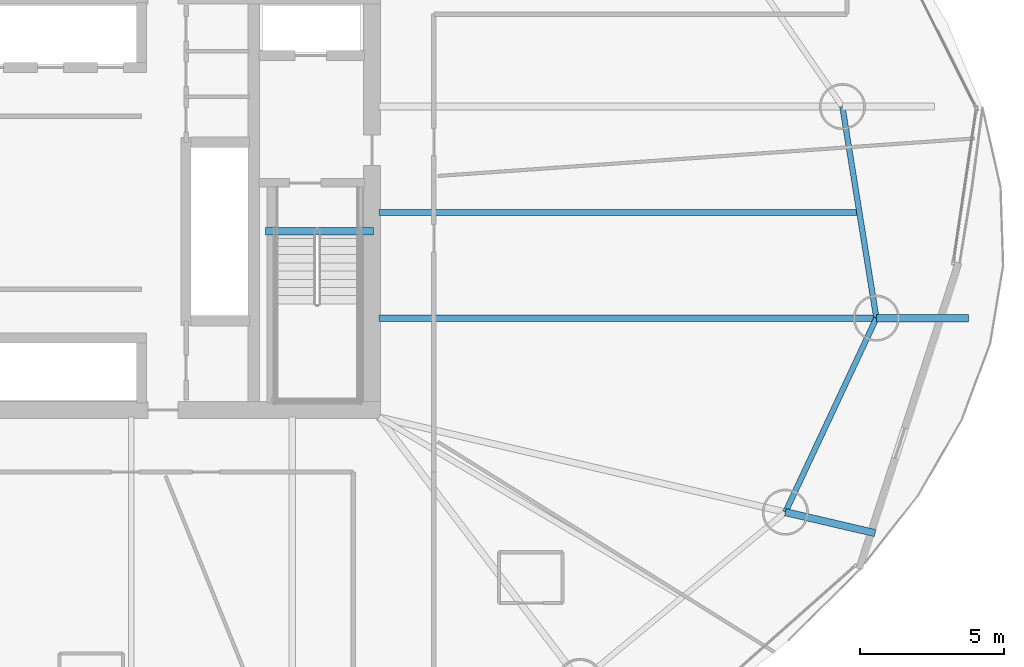
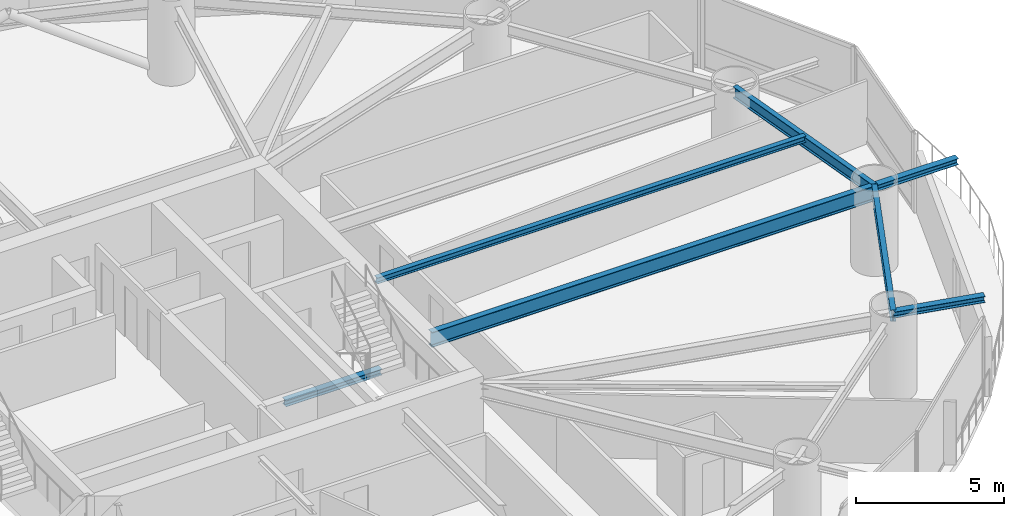
# One storey, part 8 of 26: 7 beams.
"""IFC4 building model written with IfcOpenShell, lengths in metres."""

from ifc_helpers import new_model, si_unit, direction, frame, origin, origin_2d, place, context, subcontext, project, spatial, i_section, extrude, material, material_profile, profile_set, type_object, element, save


model = new_model("IFC4")

# Units and contexts
model_context = context("Model", 3, precision=1e-05, world=origin(), true_north=direction((0.0, 1.0)))
body_context = subcontext(model_context, "Body", "Model", "MODEL_VIEW")
ifc_project = project(units=[si_unit("LENGTHUNIT", "METRE"), si_unit("AREAUNIT", "SQUARE_METRE"), si_unit("VOLUMEUNIT", "CUBIC_METRE"), si_unit("PLANEANGLEUNIT", "RADIAN"), si_unit("MASSUNIT", "GRAM", prefix="KILO")], contexts=[model_context])

# Site, building, storey
site_placement = place(None, origin())
site = spatial("IfcSite", under=ifc_project, at=site_placement, CompositionType="ELEMENT")
building_placement = place(site_placement, origin())
building = spatial("IfcBuilding", under=site, at=building_placement, Name="Bramvorn Convention Spire", CompositionType="ELEMENT")
storey_placement = place(building_placement, frame((0.0, 0.0, 51.89990234375)))
storey = spatial("IfcBuildingStorey", under=building, at=storey_placement, Name="L10", CompositionType="ELEMENT", Elevation=51.89990234375)

# Beams
ifc_material = material(Name="Steel CSA G40.21 Grade 350 (350W)", Category="steel")
ifc_material_profile_1 = material_profile(ifc_material, i_section(OverallWidth=0.201904296875, OverallDepth=0.2470703125, WebThickness=0.00732421875, FlangeThickness=0.010986328125, FilletRadius=0.011962890625, at=origin_2d()))
ifc_profile_set_1 = profile_set([ifc_material_profile_1], Name="Steel CSA G40.21 Grade 350 (350W) - W250X49")
beam_type_1 = type_object("IfcBeamType", Name="BM-W250X49", PredefinedType="JOIST", material=ifc_profile_set_1)
beam_1_placement = place(storey_placement, frame((49.25, 25.666015625, 3.126708984375), z_axis=(1.0, 0.0, 0.0), x_axis=(0.0, 1.0, 0.0)))
element("IfcBeam", 1, at=beam_1_placement, inside=storey, type_object=beam_type_1, Name="L10 composite floor joist 01", PredefinedType="JOIST", context=body_context, shape_type="SweptSolid", body=[
    extrude(i_section(OverallWidth=0.201904296875, OverallDepth=0.2470703125, WebThickness=0.00732421875, FlangeThickness=0.010986328125, FilletRadius=0.011962890625, at=origin_2d()), origin(), (0.0, 0.0, 1.0), 16.67919921875),
])
ifc_material_profile_2 = material_profile(ifc_material, i_section(OverallWidth=0.25390625, OverallDepth=0.2529296875, WebThickness=0.008544921875, FlangeThickness=0.01416015625, FilletRadius=0.011962890625, at=origin_2d()))
ifc_profile_set_2 = profile_set([ifc_material_profile_2], Name="Steel CSA G40.21 Grade 350 (350W) - W250X73")
beam_type_2 = type_object("IfcBeamType", Name="BM-W250X73", PredefinedType="BEAM", material=ifc_profile_set_2)
beam_2_placement = place(storey_placement, frame((66.519775390625, 21.99169921875, 3.12353515625), z_axis=(1.0, 0.0, 0.0), x_axis=(0.0, 1.0, 0.0)))
element("IfcBeam", 2, at=beam_2_placement, inside=storey, type_object=beam_type_2, Name="L10 slab-edge cantilever tip beam MC01", PredefinedType="BEAM", context=body_context, shape_type="SweptSolid", body=[
    extrude(i_section(OverallWidth=0.25390625, OverallDepth=0.2529296875, WebThickness=0.008544921875, FlangeThickness=0.01416015625, FilletRadius=0.011962890625, at=origin_2d()), origin(), (0.0, 0.0, 1.0), 3.199951171875),
])
beam_3_placement = place(storey_placement, frame((63.35888671875, 15.253662109375, 3.12353515625), z_axis=(0.973778145797, -0.227499720367, 0.0), x_axis=(0.227499720367, 0.973778145797, 0.0)))
element("IfcBeam", 3, at=beam_3_placement, inside=storey, type_object=beam_type_2, Name="L10 slab-edge cantilever tip beam MC16", PredefinedType="BEAM", context=body_context, shape_type="SweptSolid", body=[
    extrude(i_section(OverallWidth=0.25390625, OverallDepth=0.2529296875, WebThickness=0.008544921875, FlangeThickness=0.01416015625, FilletRadius=0.011962890625, at=origin_2d()), origin(), (0.0, 0.0, 1.0), 3.2001953125),
])
beam_4_placement = place(storey_placement, frame((45.31005859375, 25.010009765625, -0.12646484375), z_axis=(1.0, 0.0, 0.0), x_axis=(0.0, 1.0, 0.0)))
element("IfcBeam", 4, at=beam_4_placement, inside=storey, type_object=beam_type_2, Name="L10 ST2 stair arrival header beam", PredefinedType="BEAM", context=body_context, shape_type="SweptSolid", body=[
    extrude(i_section(OverallWidth=0.25390625, OverallDepth=0.2529296875, WebThickness=0.008544921875, FlangeThickness=0.01416015625, FilletRadius=0.011962890625, at=origin_2d()), origin(), (0.0, 0.0, 1.0), 3.739990234375),
])
ifc_material_profile_3 = material_profile(ifc_material, i_section(OverallWidth=0.194091796875, OverallDepth=0.468994140625, WebThickness=0.0126953125, FlangeThickness=0.0205078125, FilletRadius=0.01806640625, at=origin_2d()))
ifc_profile_set_3 = profile_set([ifc_material_profile_3], Name="Steel CSA G40.21 Grade 350 (350W) - W460X106")
beam_type_3 = type_object("IfcBeamType", Name="BM-W460X106", PredefinedType="SPANDREL", material=ifc_profile_set_3)
for number, where, z_axis, x_axis, name in (
    (5, (66.519775390625, 21.99169921875, 3.015625), (-0.158699222824, 0.987326975563, 0.0), (-0.987326975563, -0.158699222824, 0.0), "L10 mega-column ring beam 01"),
    (6, (63.35888671875, 15.253662109375, 3.015625), (0.424701955478, 0.9053332254, 0.0), (-0.9053332254, 0.424701955478, 0.0), "L10 mega-column ring beam 16"),
):
    element("IfcBeam", number, at=place(storey_placement, frame(where, z_axis=z_axis, x_axis=x_axis)), inside=storey, type_object=beam_type_3, Name=name, PredefinedType="SPANDREL", context=body_context, shape_type="SweptSolid", body=[
        extrude(i_section(OverallWidth=0.194091796875, OverallDepth=0.468994140625, WebThickness=0.0126953125, FlangeThickness=0.0205078125, FilletRadius=0.01806640625, at=origin_2d()), origin(), (0.0, 0.0, 1.0), 7.442626953125),
    ])
ifc_material_profile_4 = material_profile(ifc_material, i_section(OverallWidth=0.22998046875, OverallDepth=0.616943359375, WebThickness=0.01318359375, FlangeThickness=0.022216796875, FilletRadius=0.02001953125, at=origin_2d()))
ifc_profile_set_4 = profile_set([ifc_material_profile_4], Name="Steel CSA G40.21 Grade 350 (350W) - W610X140")
beam_type_4 = type_object("IfcBeamType", Name="BM-W610X140", PredefinedType="BEAM", material=ifc_profile_set_4)
beam_5_placement = place(storey_placement, frame((49.25, 21.99169921875, 2.941650390625), z_axis=(1.0, 0.0, 0.0), x_axis=(0.0, 1.0, 0.0)))
element("IfcBeam", 7, at=beam_5_placement, inside=storey, type_object=beam_type_4, Name="L10 radial floor girder MC01", PredefinedType="BEAM", context=body_context, shape_type="SweptSolid", body=[
    extrude(i_section(OverallWidth=0.22998046875, OverallDepth=0.616943359375, WebThickness=0.01318359375, FlangeThickness=0.022216796875, FilletRadius=0.02001953125, at=origin_2d()), origin(), (0.0, 0.0, 1.0), 17.269775390625),
])

save(model, "model.ifc")
